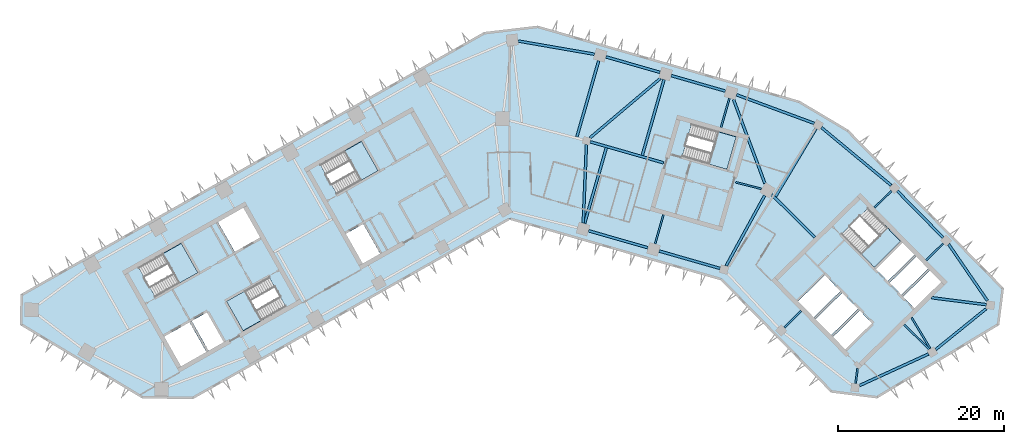
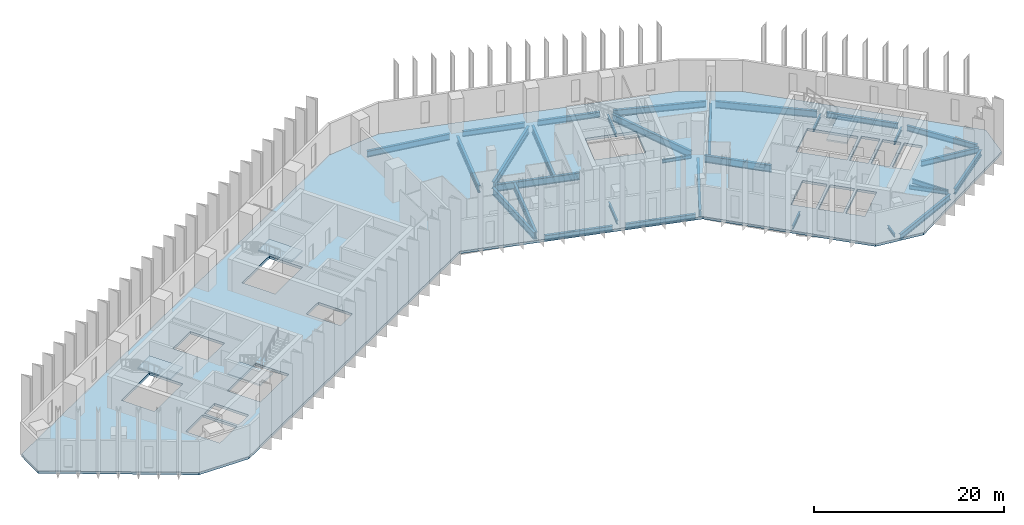
# One storey, part 2 of 11: 31 beams, 6 slabs, 5 elements without a shape of their own.
"""IFC4 building model written with IfcOpenShell, lengths in metres."""

from ifc_helpers import new_model, si_unit, direction, frame, origin, origin_2d, place, context, subcontext, project, spatial, polyline, i_section, outline, extrude, material, layer, layer_set, material_profile, profile_set, type_object, element, aggregate, save


model = new_model("IFC4")

# Units and contexts
model_context = context("Model", 3, precision=1e-05, world=origin(), true_north=direction((0.0, 1.0)))
body_context = subcontext(model_context, "Body", "Model", "MODEL_VIEW")
ifc_project = project(units=[si_unit("LENGTHUNIT", "METRE"), si_unit("AREAUNIT", "SQUARE_METRE"), si_unit("VOLUMEUNIT", "CUBIC_METRE"), si_unit("PLANEANGLEUNIT", "RADIAN"), si_unit("MASSUNIT", "GRAM", prefix="KILO")], contexts=[model_context])

# Site, building, storey
site_placement = place(None, origin())
site = spatial("IfcSite", under=ifc_project, at=site_placement, CompositionType="ELEMENT")
building_placement = place(site_placement, origin())
building = spatial("IfcBuilding", under=site, at=building_placement, Name="Binnacle Exchange Tower", CompositionType="ELEMENT")
storey_placement = place(building_placement, frame((0.0, 0.0, 123.5)))
storey = spatial("IfcBuildingStorey", under=building, at=storey_placement, Name="L25", CompositionType="ELEMENT", Elevation=123.5)

# Beams
ifc_material_1 = material(Name="Steel S355 (SHN355)", Category="steel")
ifc_material_profile_1 = material_profile(ifc_material_1, i_section(OverallWidth=0.300048828125, OverallDepth=0.699951171875, WebThickness=0.012939453125, FlangeThickness=0.02392578125, FilletRadius=0.028076171875, at=origin_2d()), Name="H 700x300x13x24")
ifc_profile_set_1 = profile_set([ifc_material_profile_1], Name="Steel S355 (SHN355)")
beam_type_1 = type_object("IfcBeamType", Name="Edge girder H 700x300x13x24 Steel S355 (SHN355)", PredefinedType="SPANDREL", material=ifc_profile_set_1)
beam_1_placement = place(storey_placement, frame((9.482421875, 46.529296875, -0.669921875), z_axis=(0.961257800717, -0.275650939705, 0.0), x_axis=(0.275650939705, 0.961257800717, 0.0)))
element("IfcBeam", 1, at=beam_1_placement, inside=storey, type_object=beam_type_1, Name="S:BM:edge:L25:030", PredefinedType="SPANDREL", context=body_context, shape_type="SweptSolid", body=[
    extrude(i_section(OverallWidth=0.300048828125, OverallDepth=0.699951171875, WebThickness=0.012939453125, FlangeThickness=0.02392578125, FilletRadius=0.028076171875, at=origin_2d()), origin(), (0.0, 0.0, 1.0), 7.42041015625),
])
beam_2_placement = place(storey_placement, frame((17.961181640625, 44.09814453125, -0.669921875), z_axis=(0.961257524102, -0.275651904325, 0.0), x_axis=(0.275651904325, 0.961257524102, 0.0)))
element("IfcBeam", 2, at=beam_2_placement, inside=storey, type_object=beam_type_1, Name="S:BM:edge:L25:032", PredefinedType="SPANDREL", context=body_context, shape_type="SweptSolid", body=[
    extrude(i_section(OverallWidth=0.300048828125, OverallDepth=0.699951171875, WebThickness=0.012939453125, FlangeThickness=0.02392578125, FilletRadius=0.028076171875, at=origin_2d()), origin(), (0.0, 0.0, 1.0), 7.620361328125),
])
for number, where, z_axis, x_axis, name in (
    (3, (18.073486328125, 65.569091796875, -0.669921875), (-0.961258249907, 0.275649373272, 0.0), (-0.275649373272, -0.961258249907, 0.0), "S:BM:edge:L25:033"),
    (4, (25.9296875, 63.31640625, -0.669921875), (-0.961258249907, 0.275649373272, 0.0), (-0.275649373272, -0.961258249907, 0.0), "S:BM:edge:L25:034"),
):
    element("IfcBeam", number, at=place(storey_placement, frame(where, z_axis=z_axis, x_axis=x_axis)), inside=storey, type_object=beam_type_1, Name=name, PredefinedType="SPANDREL", context=body_context, shape_type="SweptSolid", body=[
        extrude(i_section(OverallWidth=0.300048828125, OverallDepth=0.699951171875, WebThickness=0.012939453125, FlangeThickness=0.02392578125, FilletRadius=0.028076171875, at=origin_2d()), origin(), (0.0, 0.0, 1.0), 6.77294921875),
    ])
beam_3_placement = place(storey_placement, frame((51.20458984375, 32.248291015625, -0.669921875), z_axis=(0.777570349394, 0.628795953981, 0.0), x_axis=(-0.628795953981, 0.777570349394, 0.0)))
element("IfcBeam", 5, at=beam_3_placement, inside=storey, type_object=beam_type_1, Name="S:BM:edge:L25:040", PredefinedType="SPANDREL", context=body_context, shape_type="SweptSolid", body=[
    extrude(i_section(OverallWidth=0.300048828125, OverallDepth=0.699951171875, WebThickness=0.012939453125, FlangeThickness=0.02392578125, FilletRadius=0.028076171875, at=origin_2d()), origin(), (0.0, 0.0, 1.0), 7.788330078125),
])
beam_4_placement = place(storey_placement, frame((52.1162109375, 45.69580078125, -0.669921875), z_axis=(-0.700892629455, 0.713266795789, 0.0), x_axis=(-0.713266795789, -0.700892629455, 0.0)))
element("IfcBeam", 6, at=beam_4_placement, inside=storey, type_object=beam_type_1, Name="S:BM:edge:L25:041", PredefinedType="SPANDREL", context=body_context, shape_type="SweptSolid", body=[
    extrude(i_section(OverallWidth=0.300048828125, OverallDepth=0.699951171875, WebThickness=0.012939453125, FlangeThickness=0.02392578125, FilletRadius=0.028076171875, at=origin_2d()), origin(), (0.0, 0.0, 1.0), 7.872314453125),
])
beam_5_placement = place(storey_placement, frame((57.41943359375, 38.13330078125, -0.669921875), z_axis=(-0.566410561214, 0.824123216604, 0.0), x_axis=(-0.824123216604, -0.566410561214, 0.0)))
element("IfcBeam", 7, at=beam_5_placement, inside=storey, type_object=beam_type_1, Name="S:BM:edge:L25:042", PredefinedType="SPANDREL", context=body_context, shape_type="SweptSolid", body=[
    extrude(i_section(OverallWidth=0.300048828125, OverallDepth=0.699951171875, WebThickness=0.012939453125, FlangeThickness=0.02392578125, FilletRadius=0.028076171875, at=origin_2d()), origin(), (0.0, 0.0, 1.0), 8.236083984375),
])
ifc_material_profile_2 = material_profile(ifc_material_1, i_section(OverallWidth=0.302001953125, OverallDepth=0.7080078125, WebThickness=0.014892578125, FlangeThickness=0.028076171875, FilletRadius=0.028076171875, at=origin_2d()), Name="H 708x302x15x28")
ifc_profile_set_2 = profile_set([ifc_material_profile_2], Name="Steel S355 (SHN355)")
beam_type_2 = type_object("IfcBeamType", Name="Edge girder H 708x302x15x28 Steel S355 (SHN355)", PredefinedType="SPANDREL", material=ifc_profile_set_2)
beam_6_placement = place(storey_placement, frame((42.054931640625, 27.919921875, -0.674072265625), z_axis=(0.909166515566, 0.41643276405, 0.0), x_axis=(-0.41643276405, 0.909166515566, 0.0)))
element("IfcBeam", 8, at=beam_6_placement, inside=storey, type_object=beam_type_2, Name="S:BM:edge:L25:038", PredefinedType="SPANDREL", context=body_context, shape_type="SweptSolid", body=[
    extrude(i_section(OverallWidth=0.302001953125, OverallDepth=0.7080078125, WebThickness=0.014892578125, FlangeThickness=0.028076171875, FilletRadius=0.028076171875, at=origin_2d()), origin(), (0.0, 0.0, 1.0), 9.128662109375),
])
ifc_material_profile_3 = material_profile(ifc_material_1, i_section(OverallWidth=0.300048828125, OverallDepth=0.800048828125, WebThickness=0.013916015625, FlangeThickness=0.02587890625, FilletRadius=0.028076171875, at=origin_2d()), Name="H 800x300x14x26")
ifc_profile_set_3 = profile_set([ifc_material_profile_3], Name="Steel S355 (SHN355)")
beam_type_3 = type_object("IfcBeamType", Name="Edge girder H 800x300x14x26 Steel S355 (SHN355)", PredefinedType="SPANDREL", material=ifc_profile_set_3)
beam_7_placement = place(storey_placement, frame((10.1962890625, 67.749267578125, -0.719970703125), z_axis=(-0.985312784176, 0.170759237931, 0.0), x_axis=(-0.170759237931, -0.985312784176, 0.0)))
element("IfcBeam", 9, at=beam_7_placement, inside=storey, type_object=beam_type_3, Name="S:BM:edge:L25:031", PredefinedType="SPANDREL", context=body_context, shape_type="SweptSolid", body=[
    extrude(i_section(OverallWidth=0.300048828125, OverallDepth=0.800048828125, WebThickness=0.013916015625, FlangeThickness=0.02587890625, FilletRadius=0.028076171875, at=origin_2d()), origin(), (0.0, 0.0, 1.0), 9.313232421875),
])
ifc_material_profile_4 = material_profile(ifc_material_1, i_section(OverallWidth=0.302001953125, OverallDepth=0.80810546875, WebThickness=0.01611328125, FlangeThickness=0.030029296875, FilletRadius=0.028076171875, at=origin_2d()), Name="H 808x302x16x30")
ifc_profile_set_4 = profile_set([ifc_material_profile_4], Name="Steel S355 (SHN355)")
beam_type_4 = type_object("IfcBeamType", Name="Edge girder H 808x302x16x30 Steel S355 (SHN355)", PredefinedType="SPANDREL", material=ifc_profile_set_4)
beam_8_placement = place(storey_placement, frame((36.60791015625, 59.438232421875, -0.72412109375), z_axis=(-0.938371988478, 0.3456269828, 0.0), x_axis=(-0.3456269828, -0.938371988478, 0.0)))
element("IfcBeam", 10, at=beam_8_placement, inside=storey, type_object=beam_type_4, Name="S:BM:edge:L25:037", PredefinedType="SPANDREL", context=body_context, shape_type="SweptSolid", body=[
    extrude(i_section(OverallWidth=0.302001953125, OverallDepth=0.80810546875, WebThickness=0.01611328125, FlangeThickness=0.030029296875, FilletRadius=0.028076171875, at=origin_2d()), origin(), (0.0, 0.0, 1.0), 9.96044921875),
])
ifc_material_profile_5 = material_profile(ifc_material_1, i_section(OverallWidth=0.300048828125, OverallDepth=0.89990234375, WebThickness=0.01611328125, FlangeThickness=0.028076171875, FilletRadius=0.028076171875, at=origin_2d()), Name="H 900x300x16x28")
ifc_profile_set_5 = profile_set([ifc_material_profile_5], Name="Steel S355 (SHN355)")
beam_type_5 = type_object("IfcBeamType", Name="Edge girder H 900x300x16x28 Steel S355 (SHN355)", PredefinedType="SPANDREL", material=ifc_profile_set_5)
beam_9_placement = place(storey_placement, frame((45.861083984375, 51.988037109375, -0.77001953125), z_axis=(-0.769903256509, 0.63816061898, 0.0), x_axis=(-0.63816061898, -0.769903256509, 0.0)))
element("IfcBeam", 11, at=beam_9_placement, inside=storey, type_object=beam_type_5, Name="S:BM:edge:L25:039", PredefinedType="SPANDREL", context=body_context, shape_type="SweptSolid", body=[
    extrude(i_section(OverallWidth=0.300048828125, OverallDepth=0.89990234375, WebThickness=0.01611328125, FlangeThickness=0.028076171875, FilletRadius=0.028076171875, at=origin_2d()), origin(), (0.0, 0.0, 1.0), 10.892822265625),
])
ifc_material_profile_6 = material_profile(ifc_material_1, i_section(OverallWidth=0.199951171875, OverallDepth=0.39990234375, WebThickness=0.008056640625, FlangeThickness=0.012939453125, FilletRadius=0.01611328125, at=origin_2d()), Name="H 400x200x8x13")
ifc_profile_set_6 = profile_set([ifc_material_profile_6], Name="Steel S355 (SHN355)")
beam_type_6 = type_object("IfcBeamType", Name="Floor beam H 400x200x8x13 Steel S355 (SHN355)", PredefinedType="BEAM", material=ifc_profile_set_6)
beam_10_placement = place(storey_placement, frame((41.582763671875, 28.1708984375, -0.52001953125), z_axis=(0.12626620762, 0.991996393549, 0.0), x_axis=(-0.991996393549, 0.12626620762, 0.0)))
element("IfcBeam", 12, at=beam_10_placement, inside=storey, type_object=beam_type_6, Name="S:BM:cross:L25:063", PredefinedType="BEAM", context=body_context, shape_type="SweptSolid", body=[
    extrude(i_section(OverallWidth=0.199951171875, OverallDepth=0.39990234375, WebThickness=0.008056640625, FlangeThickness=0.012939453125, FilletRadius=0.01611328125, at=origin_2d()), origin(), (0.0, 0.0, 1.0), 1.8310546875),
])
ifc_material_profile_7 = material_profile(ifc_material_1, i_section(OverallWidth=0.199951171875, OverallDepth=0.449951171875, WebThickness=0.009033203125, FlangeThickness=0.013916015625, FilletRadius=0.01806640625, at=origin_2d()), Name="H 450x200x9x14")
ifc_profile_set_7 = profile_set([ifc_material_profile_7], Name="Steel S355 (SHN355)")
beam_type_7 = type_object("IfcBeamType", Name="Floor beam H 450x200x9x14 Steel S355 (SHN355)", PredefinedType="BEAM", material=ifc_profile_set_7)
for number, where, z_axis, x_axis, name in (
    (13, (32.997802734375, 34.880615234375, -0.544921875), (0.713272005304, 0.700887327928, 0.0), (-0.700887327928, 0.713272005304, 0.0), "S:BM:cross:L25:061"),
    (14, (45.8916015625, 51.31689453125, -0.544921875), (-0.713272005304, -0.700887327928, 0.0), (0.700887327928, -0.713272005304, 0.0), "S:BM:cross:L25:064"),
    (15, (52.110107421875, 44.98876953125, -0.544921875), (-0.713272005304, -0.700887327928, 0.0), (0.700887327928, -0.713272005304, 0.0), "S:BM:cross:L25:066"),
):
    element("IfcBeam", number, at=place(storey_placement, frame(where, z_axis=z_axis, x_axis=x_axis)), inside=storey, type_object=beam_type_7, Name=name, PredefinedType="BEAM", context=body_context, shape_type="SweptSolid", body=[
        extrude(i_section(OverallWidth=0.199951171875, OverallDepth=0.449951171875, WebThickness=0.009033203125, FlangeThickness=0.013916015625, FilletRadius=0.01806640625, at=origin_2d()), origin(), (0.0, 0.0, 1.0), 2.8583984375),
    ])
ifc_material_profile_8 = material_profile(ifc_material_1, i_section(OverallWidth=0.200927734375, OverallDepth=0.506103515625, WebThickness=0.010986328125, FlangeThickness=0.01904296875, FilletRadius=0.02001953125, at=origin_2d()), Name="H 506x201x11x19")
ifc_profile_set_8 = profile_set([ifc_material_profile_8], Name="Steel S355 (SHN355)")
beam_type_8 = type_object("IfcBeamType", Name="Floor beam H 506x201x11x19 Steel S355 (SHN355)", PredefinedType="BEAM", material=ifc_profile_set_8)
beam_11_placement = place(storey_placement, frame((17.481201171875, 44.964111328125, -0.572998046875), z_axis=(0.275643564404, 0.961259915633, 0.0), x_axis=(-0.961259915633, 0.275643564404, 0.0)))
element("IfcBeam", 16, at=beam_11_placement, inside=storey, type_object=beam_type_8, Name="S:BM:cross:L25:058", PredefinedType="BEAM", context=body_context, shape_type="SweptSolid", body=[
    extrude(i_section(OverallWidth=0.200927734375, OverallDepth=0.506103515625, WebThickness=0.010986328125, FlangeThickness=0.01904296875, FilletRadius=0.02001953125, at=origin_2d()), origin(), (0.0, 0.0, 1.0), 3.635009765625),
])
beam_12_placement = place(storey_placement, frame((26.409912109375, 62.45068359375, -0.572998046875), z_axis=(-0.275687825643, -0.961247222515, 0.0), x_axis=(0.961247222515, -0.275687825643, 0.0)))
element("IfcBeam", 17, at=beam_12_placement, inside=storey, type_object=beam_type_8, Name="S:BM:cross:L25:060", PredefinedType="BEAM", context=body_context, shape_type="SweptSolid", body=[
    extrude(i_section(OverallWidth=0.200927734375, OverallDepth=0.506103515625, WebThickness=0.010986328125, FlangeThickness=0.01904296875, FilletRadius=0.02001953125, at=origin_2d()), origin(), (0.0, 0.0, 1.0), 3.63525390625),
])
ifc_material_profile_9 = material_profile(ifc_material_1, i_section(OverallWidth=0.199951171875, OverallDepth=0.60009765625, WebThickness=0.010986328125, FlangeThickness=0.01708984375, FilletRadius=0.02197265625, at=origin_2d()), Name="H 600x200x11x17")
ifc_profile_set_9 = profile_set([ifc_material_profile_9], Name="Steel S355 (SHN355)")
beam_type_9 = type_object("IfcBeamType", Name="Floor beam H 600x200x11x17 Steel S355 (SHN355)", PredefinedType="BEAM", material=ifc_profile_set_9)
beam_13_placement = place(storey_placement, frame((50.554443359375, 32.359619140625, -0.6201171875), z_axis=(-0.515054637465, 0.857157348697, 0.0), x_axis=(-0.857157348697, -0.515054637465, 0.0)))
element("IfcBeam", 18, at=beam_13_placement, inside=storey, type_object=beam_type_9, Name="S:BM:cross:L25:065", PredefinedType="BEAM", context=body_context, shape_type="SweptSolid", body=[
    extrude(i_section(OverallWidth=0.199951171875, OverallDepth=0.60009765625, WebThickness=0.010986328125, FlangeThickness=0.01708984375, FilletRadius=0.02197265625, at=origin_2d()), origin(), (0.0, 0.0, 1.0), 4.367431640625),
])
ifc_material_profile_10 = material_profile(ifc_material_1, i_section(OverallWidth=0.300048828125, OverallDepth=0.699951171875, WebThickness=0.012939453125, FlangeThickness=0.02392578125, FilletRadius=0.028076171875, at=origin_2d()), Name="H 700x300x13x24")
ifc_profile_set_10 = profile_set([ifc_material_profile_10], Name="Steel S355 (SHN355)")
beam_type_10 = type_object("IfcBeamType", Name="Floor beam H 700x300x13x24 Steel S355 (SHN355)", PredefinedType="BEAM", material=ifc_profile_set_10)
beam_14_placement = place(storey_placement, frame((57.302978515625, 37.64404296875, -0.669921875), z_axis=(-0.992004198178, 0.12620487628, 0.0), x_axis=(-0.12620487628, -0.992004198178, 0.0)))
element("IfcBeam", 19, at=beam_14_placement, inside=storey, type_object=beam_type_10, Name="S:BM:cross:L25:067", PredefinedType="BEAM", context=body_context, shape_type="SweptSolid", body=[
    extrude(i_section(OverallWidth=0.300048828125, OverallDepth=0.699951171875, WebThickness=0.012939453125, FlangeThickness=0.02392578125, FilletRadius=0.028076171875, at=origin_2d()), origin(), (0.0, 0.0, 1.0), 6.63134765625),
])
ifc_material_profile_11 = material_profile(ifc_material_1, i_section(OverallWidth=0.302978515625, OverallDepth=0.91796875, WebThickness=0.01904296875, FlangeThickness=0.037109375, FilletRadius=0.028076171875, at=origin_2d()), Name="H 918x303x19x37")
ifc_profile_set_11 = profile_set([ifc_material_profile_11], Name="Steel S355 (SHN355)")
beam_type_11 = type_object("IfcBeamType", Name="Floor beam H 918x303x19x37 Steel S355 (SHN355)", PredefinedType="BEAM", material=ifc_profile_set_11)
beam_15_placement = place(storey_placement, frame((9.00244140625, 47.395263671875, -0.779052734375), z_axis=(0.275642274849, 0.961260285415, 0.0), x_axis=(-0.961260285415, 0.275642274849, 0.0)))
element("IfcBeam", 20, at=beam_15_placement, inside=storey, type_object=beam_type_11, Name="S:BM:cross:L25:056", PredefinedType="BEAM", context=body_context, shape_type="SweptSolid", body=[
    extrude(i_section(OverallWidth=0.302978515625, OverallDepth=0.91796875, WebThickness=0.01904296875, FlangeThickness=0.037109375, FilletRadius=0.028076171875, at=origin_2d()), origin(), (0.0, 0.0, 1.0), 9.485107421875),
])
beam_16_placement = place(storey_placement, frame((10.697021484375, 66.9560546875, -0.779052734375), z_axis=(-0.27562260808, -0.961265924661, 0.0), x_axis=(0.961265924661, -0.27562260808, 0.0)))
element("IfcBeam", 21, at=beam_16_placement, inside=storey, type_object=beam_type_11, Name="S:BM:cross:L25:057", PredefinedType="BEAM", context=body_context, shape_type="SweptSolid", body=[
    extrude(i_section(OverallWidth=0.302978515625, OverallDepth=0.91796875, WebThickness=0.01904296875, FlangeThickness=0.037109375, FilletRadius=0.028076171875, at=origin_2d()), origin(), (0.0, 0.0, 1.0), 9.51318359375),
])
beam_17_placement = place(storey_placement, frame((18.553466796875, 64.703369140625, -0.779052734375), z_axis=(-0.275642274849, -0.961260285415, 0.0), x_axis=(0.961260285415, -0.275642274849, 0.0)))
element("IfcBeam", 22, at=beam_17_placement, inside=storey, type_object=beam_type_11, Name="S:BM:cross:L25:059", PredefinedType="BEAM", context=body_context, shape_type="SweptSolid", body=[
    extrude(i_section(OverallWidth=0.302978515625, OverallDepth=0.91796875, WebThickness=0.01904296875, FlangeThickness=0.037109375, FilletRadius=0.028076171875, at=origin_2d()), origin(), (0.0, 0.0, 1.0), 9.485107421875),
])
beam_18_placement = place(storey_placement, frame((36.829345703125, 58.832763671875, -0.779052734375), z_axis=(-0.51129570724, -0.859404852068, 0.0), x_axis=(0.859404852068, -0.51129570724, 0.0)))
element("IfcBeam", 23, at=beam_18_placement, inside=storey, type_object=beam_type_11, Name="S:BM:cross:L25:062", PredefinedType="BEAM", context=body_context, shape_type="SweptSolid", body=[
    extrude(i_section(OverallWidth=0.302978515625, OverallDepth=0.91796875, WebThickness=0.01904296875, FlangeThickness=0.037109375, FilletRadius=0.028076171875, at=origin_2d()), origin(), (0.0, 0.0, 1.0), 9.5361328125),
])
ifc_material_profile_12 = material_profile(ifc_material_1, i_section(OverallWidth=0.199951171875, OverallDepth=0.449951171875, WebThickness=0.009033203125, FlangeThickness=0.013916015625, FilletRadius=0.01806640625, at=origin_2d()), Name="H 450x200x9x14")
ifc_profile_set_12 = profile_set([ifc_material_profile_12], Name="Steel S355 (SHN355)")
beam_type_12 = type_object("IfcBeamType", Name="Spine girder H 450x200x9x14 Steel S355 (SHN355)", PredefinedType="BEAM", material=ifc_profile_set_12)
beam_19_placement = place(storey_placement, frame((27.17138671875, 52.35400390625, -0.544921875), z_axis=(0.969348404361, -0.245690193055, 0.0), x_axis=(0.245690193055, 0.969348404361, 0.0)))
element("IfcBeam", 24, at=beam_19_placement, inside=storey, type_object=beam_type_12, Name="S:BM:spine:L25:010", PredefinedType="BEAM", context=body_context, shape_type="SweptSolid", body=[
    extrude(i_section(OverallWidth=0.199951171875, OverallDepth=0.449951171875, WebThickness=0.009033203125, FlangeThickness=0.013916015625, FilletRadius=0.01806640625, at=origin_2d()), origin(), (0.0, 0.0, 1.0), 3.20361328125),
])
ifc_material_profile_13 = material_profile(ifc_material_1, i_section(OverallWidth=0.200927734375, OverallDepth=0.506103515625, WebThickness=0.010986328125, FlangeThickness=0.01904296875, FilletRadius=0.02001953125, at=origin_2d()), Name="H 506x201x11x19")
ifc_profile_set_13 = profile_set([ifc_material_profile_13], Name="Steel S355 (SHN355)")
beam_type_13 = type_object("IfcBeamType", Name="Spine girder H 506x201x11x19 Steel S355 (SHN355)", PredefinedType="BEAM", material=ifc_profile_set_13)
beam_20_placement = place(storey_placement, frame((47.417236328125, 35.23095703125, -0.572998046875), z_axis=(0.71705117811, -0.697020521915, 0.0), x_axis=(0.697020521915, 0.71705117811, 0.0)))
element("IfcBeam", 25, at=beam_20_placement, inside=storey, type_object=beam_type_13, Name="S:BM:spine:L25:014", PredefinedType="BEAM", context=body_context, shape_type="SweptSolid", body=[
    extrude(i_section(OverallWidth=0.200927734375, OverallDepth=0.506103515625, WebThickness=0.010986328125, FlangeThickness=0.01904296875, FilletRadius=0.02001953125, at=origin_2d()), origin(), (0.0, 0.0, 1.0), 4.21728515625),
])
ifc_material_profile_14 = material_profile(ifc_material_1, i_section(OverallWidth=0.300048828125, OverallDepth=0.89990234375, WebThickness=0.01611328125, FlangeThickness=0.028076171875, FilletRadius=0.028076171875, at=origin_2d()), Name="H 900x300x16x28")
ifc_profile_set_14 = profile_set([ifc_material_profile_14], Name="Steel S355 (SHN355)")
beam_type_14 = type_object("IfcBeamType", Name="Spine girder H 900x300x16x28 Steel S355 (SHN355)", PredefinedType="BEAM", material=ifc_profile_set_14)
beam_21_placement = place(storey_placement, frame((9.22216796875, 56.887451171875, -0.77001953125), z_axis=(-0.040573469093, -0.999176557774, 0.0), x_axis=(0.999176557774, -0.040573469093, 0.0)))
element("IfcBeam", 26, at=beam_21_placement, inside=storey, type_object=beam_type_14, Name="S:BM:spine:L25:007", PredefinedType="BEAM", context=body_context, shape_type="SweptSolid", body=[
    extrude(i_section(OverallWidth=0.300048828125, OverallDepth=0.89990234375, WebThickness=0.01611328125, FlangeThickness=0.028076171875, FilletRadius=0.028076171875, at=origin_2d()), origin(), (0.0, 0.0, 1.0), 9.453125),
])
beam_22_placement = place(storey_placement, frame((30.65234375, 50.771484375, -0.77001953125), z_axis=(-0.480722811784, -0.876872612316, 0.0), x_axis=(0.876872612316, -0.480722811784, 0.0)))
element("IfcBeam", 27, at=beam_22_placement, inside=storey, type_object=beam_type_14, Name="S:BM:spine:L25:011", PredefinedType="BEAM", context=body_context, shape_type="SweptSolid", body=[
    extrude(i_section(OverallWidth=0.300048828125, OverallDepth=0.89990234375, WebThickness=0.01611328125, FlangeThickness=0.028076171875, FilletRadius=0.028076171875, at=origin_2d()), origin(), (0.0, 0.0, 1.0), 9.650390625),
])
ifc_material_profile_15 = material_profile(ifc_material_1, i_section(OverallWidth=0.302978515625, OverallDepth=0.91796875, WebThickness=0.01904296875, FlangeThickness=0.037109375, FilletRadius=0.028076171875, at=origin_2d()), Name="H 918x303x19x37")
ifc_profile_set_15 = profile_set([ifc_material_profile_15], Name="Steel S355 (SHN355)")
beam_type_15 = type_object("IfcBeamType", Name="Spine girder H 918x303x19x37 Steel S355 (SHN355)", PredefinedType="BEAM", material=ifc_profile_set_15)
beam_23_placement = place(storey_placement, frame((9.65478515625, 57.69970703125, -0.779052734375), z_axis=(0.764067648684, 0.645136131552, 0.0), x_axis=(-0.645136131552, 0.764067648684, 0.0)))
element("IfcBeam", 28, at=beam_23_placement, inside=storey, type_object=beam_type_15, Name="S:BM:spine:L25:008", PredefinedType="BEAM", context=body_context, shape_type="SweptSolid", body=[
    extrude(i_section(OverallWidth=0.302978515625, OverallDepth=0.91796875, WebThickness=0.01904296875, FlangeThickness=0.037109375, FilletRadius=0.028076171875, at=origin_2d()), origin(), (0.0, 0.0, 1.0), 11.056396484375),
])
beam_24_placement = place(storey_placement, frame((9.673583984375, 57.226318359375, -0.779052734375), z_axis=(0.961256048299, -0.275657050715, 0.0), x_axis=(0.275657050715, 0.961256048299, 0.0)))
element("IfcBeam", 29, at=beam_24_placement, inside=storey, type_object=beam_type_15, Name="S:BM:spine:L25:009", PredefinedType="BEAM", context=body_context, shape_type="SweptSolid", body=[
    extrude(i_section(OverallWidth=0.302978515625, OverallDepth=0.91796875, WebThickness=0.01904296875, FlangeThickness=0.037109375, FilletRadius=0.028076171875, at=origin_2d()), origin(), (0.0, 0.0, 1.0), 9.1630859375),
])
beam_25_placement = place(storey_placement, frame((30.6806640625, 52.212890625, -0.779052734375), z_axis=(-0.350112820386, 0.93670753867, 0.0), x_axis=(-0.93670753867, -0.350112820386, 0.0)))
element("IfcBeam", 30, at=beam_25_placement, inside=storey, type_object=beam_type_15, Name="S:BM:spine:L25:012", PredefinedType="BEAM", context=body_context, shape_type="SweptSolid", body=[
    extrude(i_section(OverallWidth=0.302978515625, OverallDepth=0.91796875, WebThickness=0.01904296875, FlangeThickness=0.037109375, FilletRadius=0.028076171875, at=origin_2d()), origin(), (0.0, 0.0, 1.0), 10.777099609375),
])
beam_26_placement = place(storey_placement, frame((31.499755859375, 50.8818359375, -0.779052734375), z_axis=(0.710998016372, -0.703194013566, 0.0), x_axis=(0.703194013566, 0.710998016372, 0.0)))
element("IfcBeam", 31, at=beam_26_placement, inside=storey, type_object=beam_type_15, Name="S:BM:spine:L25:013", PredefinedType="BEAM", context=body_context, shape_type="SweptSolid", body=[
    extrude(i_section(OverallWidth=0.302978515625, OverallDepth=0.91796875, WebThickness=0.01904296875, FlangeThickness=0.037109375, FilletRadius=0.028076171875, at=origin_2d()), origin(), (0.0, 0.0, 1.0), 7.320556640625),
])

# Slab
ifc_material_2 = material(Name="Concrete C35/45", Category="concrete")
ifc_layer_1 = layer(ifc_material_2, 0.320068359375)
ifc_layer_set_1 = layer_set([ifc_layer_1], Name="Floor slab 320 Concrete C35/45")
slab_type_1 = type_object("IfcSlabType", Name="Floor slab 320 Concrete C35/45", PredefinedType="FLOOR", material=ifc_layer_set_1)
slab_1_placement = place(storey_placement, frame((0.0, 0.0, -0.320068359375)))
element("IfcSlab", 32, at=slab_1_placement, inside=storey, type_object=slab_type_1, Name="S:SL:L25:01", PredefinedType="FLOOR", context=body_context, shape_type="SweptSolid", body=[
    extrude(outline(polyline([(59.262939453125, 39.5791015625), (58.716064453125, 35.280029296875), (44.14404296875, 26.5244140625), (38.69091796875, 27.21826171875), (25.43603515625, 40.706298828125), (0.0, 48.0), (-38.097900390625, 26.4453125), (-44.14404296875, 26.5244140625), (-58.716064453125, 35.280029296875), (-58.669921875, 38.80615234375), (-3.046142578125, 70.276611328125), (3.364501953125, 71.035400390625), (34.789794921875, 62.024169921875), (40.607421875, 58.56298828125), (59.262939453125, 39.5791015625)]), holes=[polyline([(-38.4794921875, 35.529296875), (-41.61279296875, 33.756591796875), (-39.544677734375, 30.10107421875), (-36.411376953125, 31.873779296875), (-38.4794921875, 35.529296875)]), polyline([(-34.322509765625, 33.0556640625), (-36.390625, 36.711181640625), (-38.21826171875, 35.677001953125), (-36.150146484375, 32.021484375), (-34.322509765625, 33.0556640625)]), polyline([(-34.040771484375, 38.04052734375), (-32.04638671875, 34.515625), (-26.9287109375, 37.4111328125), (-28.923095703125, 40.93603515625), (-34.040771484375, 38.04052734375)]), polyline([(-37.486572265625, 41.4912109375), (-39.480712890625, 45.01611328125), (-44.598388671875, 42.12060546875), (-42.604248046875, 38.595703125), (-37.486572265625, 41.4912109375)]), polyline([(-15.53076171875, 43.6875), (-17.598876953125, 47.343017578125), (-19.77490234375, 46.11181640625), (-17.70654296875, 42.456298828125), (-15.53076171875, 43.6875)]), polyline([(-29.914306640625, 45.775390625), (-31.982666015625, 49.430908203125), (-35.115966796875, 47.657958984375), (-33.047607421875, 44.00244140625), (-29.914306640625, 45.775390625)]), polyline([(-15.822509765625, 53.748046875), (-17.81689453125, 57.27294921875), (-22.760498046875, 54.47607421875), (-20.76611328125, 50.950927734375), (-15.822509765625, 53.748046875)]), polyline([(26.111328125, 53.9169921875), (27.227783203125, 57.810302734375), (21.864013671875, 59.348388671875), (20.74755859375, 55.455078125), (26.111328125, 53.9169921875)]), polyline([(40.268798828125, 32.201904296875), (43.549560546875, 35.426025390625), (42.07763671875, 36.923828125), (38.796875, 33.69970703125), (40.268798828125, 32.201904296875)]), polyline([(38.58642578125, 33.913818359375), (41.867431640625, 37.137939453125), (39.97509765625, 39.063720703125), (36.694091796875, 35.83935546875), (38.58642578125, 33.913818359375)]), polyline([(36.48388671875, 36.053466796875), (39.7646484375, 39.277587890625), (37.872314453125, 41.203369140625), (34.59130859375, 37.979248046875), (36.48388671875, 36.053466796875)]), polyline([(48.726806640625, 37.148681640625), (52.0078125, 40.372802734375), (50.577880859375, 41.827880859375), (47.296875, 38.603759765625), (48.726806640625, 37.148681640625)]), polyline([(47.086669921875, 38.817626953125), (50.36767578125, 42.0419921875), (48.944580078125, 43.48974609375), (45.663818359375, 40.265625), (47.086669921875, 38.817626953125)]), polyline([(45.45361328125, 40.4794921875), (48.734375, 43.703857421875), (47.3115234375, 45.151611328125), (44.030517578125, 41.927490234375), (45.45361328125, 40.4794921875)]), polyline([(43.8203125, 42.141357421875), (46.994384765625, 45.260498046875), (43.083251953125, 49.240478515625), (39.9091796875, 46.121337890625), (43.8203125, 42.141357421875)])]), origin(), (0.0, 0.0, 1.0), 0.320068359375),
])

# Stair, slab
stair_type = type_object("IfcStairType", Name="STAIR 26 RISERS 169", PredefinedType="HALF_TURN_STAIR", material=ifc_material_2)
stair_1_placement = place(storey_placement, origin())
stair_1 = element("IfcStair", 33, at=stair_1_placement, inside=storey, type_object=stair_type, Name="L25 Escape stair A1", PredefinedType="HALF_TURN_STAIR")
ifc_layer_2 = layer(ifc_material_2, 0.199951171875)
ifc_layer_set_2 = layer_set([ifc_layer_2], Name="STAIR LANDING 200")
slab_type_2 = type_object("IfcSlabType", Name="STAIR LANDING 200", PredefinedType="LANDING", material=ifc_layer_set_2)
slab_2_placement = place(storey_placement, frame((0.0, 0.0, 2.0)))
slab_2 = element("IfcSlab", 34, at=slab_2_placement, type_object=slab_type_2, Name="STA1 landing 1", PredefinedType="LANDING", context=body_context, shape_type="SweptSolid", body=[
    extrude(outline(polyline([(-39.714599609375, 40.23046875), (-37.486572265625, 41.4912109375), (-39.48095703125, 45.01611328125), (-41.708984375, 43.755615234375), (-39.714599609375, 40.23046875)])), origin(), (0.0, 0.0, 1.0), 0.199951171875),
])
aggregate(stair_1, [slab_2])

stair_2_placement = place(storey_placement, origin())
stair_2 = element("IfcStair", 35, at=stair_2_placement, inside=storey, type_object=stair_type, Name="L25 Escape stair A2", PredefinedType="HALF_TURN_STAIR")
slab_3_placement = place(storey_placement, frame((0.0, 0.0, 2.0)))
slab_3 = element("IfcSlab", 36, at=slab_3_placement, type_object=slab_type_2, Name="STA2 landing 1", PredefinedType="LANDING", context=body_context, shape_type="SweptSolid", body=[
    extrude(outline(polyline([(-31.8125, 39.30126953125), (-34.040771484375, 38.04052734375), (-32.04638671875, 34.515625), (-29.818359375, 35.7763671875), (-31.8125, 39.30126953125)])), origin(), (0.0, 0.0, 1.0), 0.199951171875),
])
aggregate(stair_2, [slab_3])

stair_3_placement = place(storey_placement, origin())
stair_3 = element("IfcStair", 37, at=stair_3_placement, inside=storey, type_object=stair_type, Name="L25 Escape stair B1", PredefinedType="HALF_TURN_STAIR")
slab_4_placement = place(storey_placement, frame((0.0, 0.0, 2.0)))
slab_4 = element("IfcSlab", 38, at=slab_4_placement, type_object=slab_type_2, Name="STB1 landing 1", PredefinedType="LANDING", context=body_context, shape_type="SweptSolid", body=[
    extrude(outline(polyline([(42.236328125, 43.75341796875), (43.8203125, 42.141357421875), (46.994384765625, 45.260498046875), (45.410400390625, 46.872314453125), (42.236328125, 43.75341796875)])), origin(), (0.0, 0.0, 1.0), 0.199951171875),
])
aggregate(stair_3, [slab_4])

stair_4_placement = place(storey_placement, origin())
stair_4 = element("IfcStair", 39, at=stair_4_placement, inside=storey, type_object=stair_type, Name="L25 Escape stair C1", PredefinedType="HALF_TURN_STAIR")
slab_5_placement = place(storey_placement, frame((0.0, 0.0, 2.0)))
slab_5 = element("IfcSlab", 40, at=slab_5_placement, type_object=slab_type_2, Name="STC1 landing 1", PredefinedType="LANDING", context=body_context, shape_type="SweptSolid", body=[
    extrude(outline(polyline([(-17.876708984375, 52.5859375), (-15.822509765625, 53.748046875), (-17.81689453125, 57.27294921875), (-19.870849609375, 56.11083984375), (-17.876708984375, 52.5859375)])), origin(), (0.0, 0.0, 1.0), 0.199951171875),
])
aggregate(stair_4, [slab_5])

stair_5_placement = place(storey_placement, origin())
stair_5 = element("IfcStair", 41, at=stair_5_placement, inside=storey, type_object=stair_type, Name="L25 Escape stair D1", PredefinedType="HALF_TURN_STAIR")
slab_6_placement = place(storey_placement, frame((0.0, 0.0, 2.0)))
slab_6 = element("IfcSlab", 42, at=slab_6_placement, type_object=slab_type_2, Name="STD1 landing 1", PredefinedType="LANDING", context=body_context, shape_type="SweptSolid", body=[
    extrude(outline(polyline([(23.93896484375, 54.5400390625), (26.111328125, 53.917236328125), (27.227783203125, 57.810302734375), (25.05517578125, 58.43310546875), (23.93896484375, 54.5400390625)])), origin(), (0.0, 0.0, 1.0), 0.199951171875),
])
aggregate(stair_5, [slab_6])

save(model, "model.ifc")
